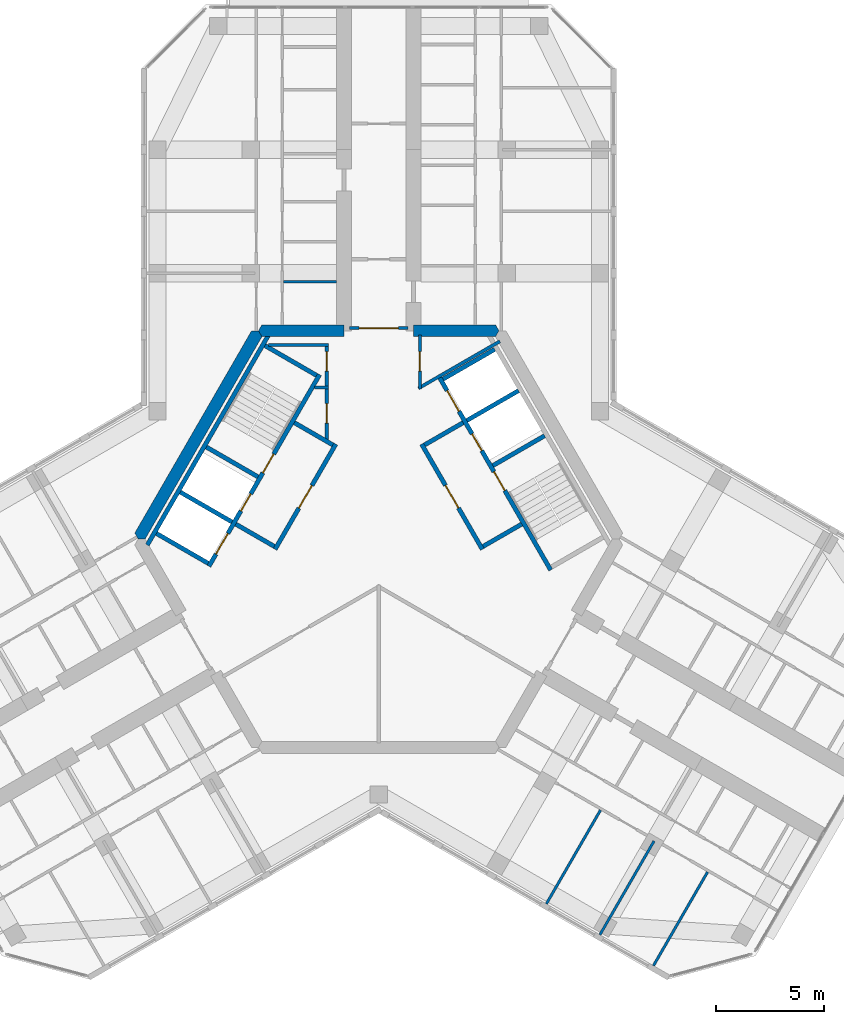
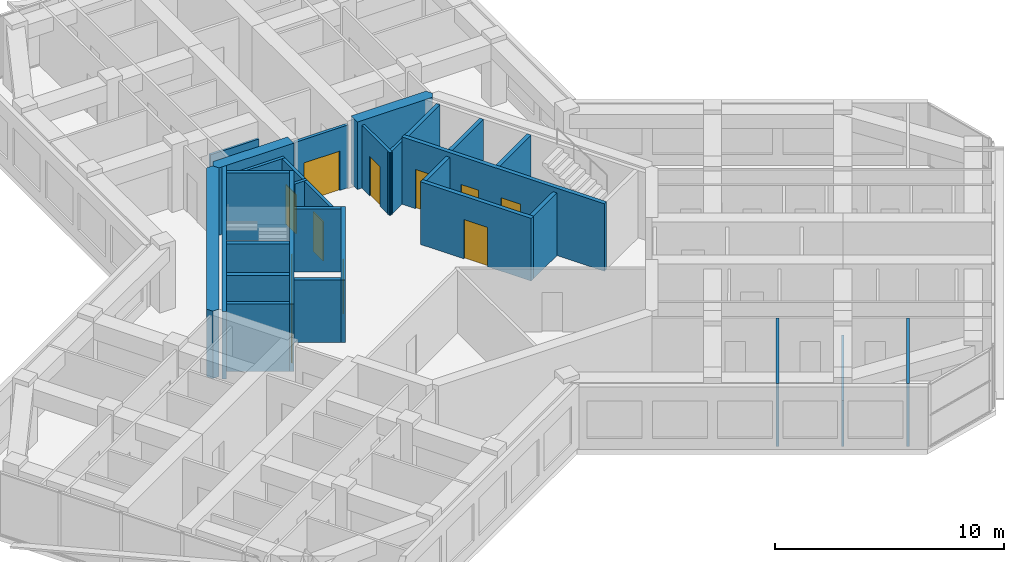
# One storey, part 9 of 14: 29 walls, 12 doors, 12 openings.
"""IFC4 building model written with IfcOpenShell, lengths in metres."""

from ifc_helpers import new_model, si_unit, direction, frame, frame_2d, origin, place, context, subcontext, project, spatial, polyline, rectangle, outline, extrude, material, layer, layer_set, type_object, element, fill, save


model = new_model("IFC4")

# Units and contexts
model_context = context("Model", 3, precision=1e-05, world=origin(), true_north=direction((0.0, 1.0)))
body_context = subcontext(model_context, "Body", "Model", "MODEL_VIEW")
ifc_project = project(units=[si_unit("LENGTHUNIT", "METRE"), si_unit("AREAUNIT", "SQUARE_METRE"), si_unit("VOLUMEUNIT", "CUBIC_METRE"), si_unit("PLANEANGLEUNIT", "RADIAN"), si_unit("MASSUNIT", "GRAM", prefix="KILO")], contexts=[model_context])

# Site, building, storey
site_placement = place(None, origin())
site = spatial("IfcSite", under=ifc_project, at=site_placement, CompositionType="ELEMENT")
building_placement = place(site_placement, origin())
building = spatial("IfcBuilding", under=site, at=building_placement, Name="Kosmar Iwan School Tower", CompositionType="ELEMENT")
storey_placement = place(building_placement, frame((0.0, 0.0, 271.0)))
storey = spatial("IfcBuildingStorey", under=building, at=storey_placement, Name="L68", CompositionType="ELEMENT", Elevation=271.0)

# Wall, openings, doors
ifc_material_1 = material(Name="Gypsum board on steel studs, fire-rated", Category="steel")
ifc_layer_1 = layer(ifc_material_1, 0.14990234375)
ifc_layer_set_1 = layer_set([ifc_layer_1], Name="Core room partition 150")
wall_type_1 = type_object("IfcWallType", Name="Core room partition 150", PredefinedType="PARTITIONING", material=ifc_layer_set_1)
wall_1_placement = place(storey_placement, frame((-2.39990234375, 9.014892578125, 0.0), z_axis=(0.0, 0.0, 1.0), x_axis=(0.0, -1.0, 0.0)))
wall_1 = element("IfcWall", 1, at=wall_1_placement, inside=storey, type_object=wall_type_1, Name="Core room partition L68-CW1", PredefinedType="PARTITIONING", context=body_context, shape_type="SweptSolid", body=[
    extrude(rectangle(XDim=4.484130859375, YDim=0.14990234375, at=frame_2d((2.2421875, 0.0))), origin(), (0.0, 0.0, 1.0), 3.35009765625),
])
opening_1_placement = place(wall_1_placement, frame((0.375, 0.0, 0.0)))
opening_1 = element("IfcOpeningElement", 2, at=opening_1_placement, cuts=wall_1, Name="Opening D14", PredefinedType="OPENING", context=body_context, shape_type="SweptSolid", body=[
    extrude(rectangle(XDim=0.89990234375, YDim=2.10009765625, at=frame_2d((0.449951171875, 1.050048828125))), frame((0.0, 0.0869140625, 0.0), z_axis=(0.0, -1.0, 0.0), x_axis=(1.0, 0.0, 0.0)), (0.0, 0.0, 1.0), 0.173828125),
])
opening_2_placement = place(wall_1_placement, frame((2.77490234375, 0.0, 0.0)))
opening_2 = element("IfcOpeningElement", 3, at=opening_2_placement, cuts=wall_1, Name="Opening D14", PredefinedType="OPENING", context=body_context, shape_type="SweptSolid", body=[
    extrude(rectangle(XDim=0.89990234375, YDim=2.10009765625, at=frame_2d((0.449951171875, 1.050048828125))), frame((0.0, 0.0869140625, 0.0), z_axis=(0.0, -1.0, 0.0), x_axis=(1.0, 0.0, 0.0)), (0.0, 0.0, 1.0), 0.173828125),
])
ifc_material_2 = material(Name="Timber fire door in steel frame", Category="steel")
door_type_1 = type_object("IfcDoorType", Name="Core room door 900x2100", OperationType="SINGLE_SWING_LEFT", PredefinedType="DOOR", material=ifc_material_2)
door_1_placement = place(opening_1_placement, origin())
door_1 = element("IfcDoor", 4, at=door_1_placement, inside=storey, type_object=door_type_1, Name="Electrical riser and switch room door L68 1", OperationType="SINGLE_SWING_LEFT", OverallHeight=2.10009765625, OverallWidth=0.89990234375, PredefinedType="DOOR", context=body_context, shape_type="SweptSolid", body=[
    extrude(rectangle(XDim=0.89990234375, YDim=2.10009765625, at=frame_2d((0.449951171875, 1.050048828125))), frame((0.0, 0.02490234375, 0.0), z_axis=(0.0, -1.0, 0.0), x_axis=(1.0, 0.0, 0.0)), (0.0, 0.0, 1.0), 0.050048828125),
])
fill(opening_1, door_1)
door_2_placement = place(opening_2_placement, origin())
door_2 = element("IfcDoor", 5, at=door_2_placement, inside=storey, type_object=door_type_1, Name="Plumbing and wet riser door L68 2", OperationType="SINGLE_SWING_RIGHT", OverallHeight=2.10009765625, OverallWidth=0.89990234375, PredefinedType="DOOR", context=body_context, shape_type="SweptSolid", body=[
    extrude(rectangle(XDim=0.89990234375, YDim=2.10009765625, at=frame_2d((0.449951171875, 1.050048828125))), frame((0.0, 0.02490234375, 0.0), z_axis=(0.0, -1.0, 0.0), x_axis=(1.0, 0.0, 0.0)), (0.0, 0.0, 1.0), 0.050048828125),
])
fill(opening_2, door_2)

# Walls
wall_2_placement = place(storey_placement, frame((-2.324951171875, 6.985107421875, 0.0), z_axis=(0.0, 0.0, 1.0), x_axis=(-1.0, 0.0, 0.0)))
element("IfcWall", 6, at=wall_2_placement, inside=storey, type_object=wall_type_1, Name="Core room partition L68-CW2", PredefinedType="PARTITIONING", context=body_context, shape_type="SweptSolid", body=[
    extrude(rectangle(XDim=0.623779296875, YDim=0.14990234375, at=frame_2d((0.31201171875, 0.0))), origin(), (0.0, 0.0, 1.0), 3.35009765625),
])
wall_3_placement = place(storey_placement, frame((-5.089599609375, 8.93994140625, 0.0), z_axis=(0.0, 0.0, 1.0), x_axis=(1.0, 0.0, 0.0)))
element("IfcWall", 7, at=wall_3_placement, inside=storey, type_object=wall_type_1, Name="Core room partition L68-CW3", PredefinedType="PARTITIONING", context=body_context, shape_type="SweptSolid", body=[
    extrude(rectangle(XDim=2.7646484375, YDim=0.14990234375, at=frame_2d((1.38232421875, 0.0))), origin(), (0.0, 0.0, 1.0), 3.35009765625),
])
wall_4_placement = place(storey_placement, frame((5.58642578125, 9.1142578125, 0.0), z_axis=(0.0, 0.0, 1.0), x_axis=(-0.866039173598, -0.499976149225, 0.0)))
element("IfcWall", 8, at=wall_4_placement, inside=storey, type_object=wall_type_1, Name="Core room partition L68-CW8", PredefinedType="PARTITIONING", context=body_context, shape_type="SweptSolid", body=[
    extrude(rectangle(XDim=4.331787109375, YDim=0.14990234375, at=frame_2d((2.166015625, 0.0))), origin(), (0.0, 0.0, 1.0), 3.35009765625),
])

# Wall, opening, door
wall_5_placement = place(storey_placement, frame((1.89990234375, 6.910888671875, 0.0), z_axis=(0.0, 0.0, 1.0), x_axis=(0.0, 1.0, 0.0)))
wall_5 = element("IfcWall", 9, at=wall_5_placement, inside=storey, type_object=wall_type_1, Name="Core room partition L68-CW9", PredefinedType="PARTITIONING", context=body_context, shape_type="SweptSolid", body=[
    extrude(rectangle(XDim=2.484130859375, YDim=0.14990234375, at=frame_2d((1.2421875, 0.0))), origin(), (0.0, 0.0, 1.0), 3.35009765625),
])
opening_3_placement = place(wall_5_placement, frame((0.826904296875, 0.0, 0.0)))
opening_3 = element("IfcOpeningElement", 10, at=opening_3_placement, cuts=wall_5, Name="Opening D14", PredefinedType="OPENING", context=body_context, shape_type="SweptSolid", body=[
    extrude(rectangle(XDim=0.89990234375, YDim=2.10009765625, at=frame_2d((0.449951171875, 1.050048828125))), frame((0.0, 0.0869140625, 0.0), z_axis=(0.0, -1.0, 0.0), x_axis=(1.0, 0.0, 0.0)), (0.0, 0.0, 1.0), 0.173828125),
])
door_3_placement = place(opening_3_placement, origin())
door_3 = element("IfcDoor", 11, at=door_3_placement, inside=storey, type_object=door_type_1, Name="Housekeeping store door L68 5", OperationType="SINGLE_SWING_RIGHT", OverallHeight=2.10009765625, OverallWidth=0.89990234375, PredefinedType="DOOR", context=body_context, shape_type="SweptSolid", body=[
    extrude(rectangle(XDim=0.89990234375, YDim=2.10009765625, at=frame_2d((0.449951171875, 1.050048828125))), frame((0.0, 0.02490234375, 0.0), z_axis=(0.0, -1.0, 0.0), x_axis=(1.0, 0.0, 0.0)), (0.0, 0.0, 1.0), 0.050048828125),
])
fill(opening_3, door_3)

# Walls
ifc_material_3 = material(Name="Concrete C50/60", Category="concrete")
ifc_layer_2 = layer(ifc_material_3, 0.550048828125)
ifc_layer_set_2 = layer_set([ifc_layer_2], Name="Core wall 550")
wall_type_2 = type_object("IfcWallType", Name="Core wall 550", PredefinedType="SHEAR", material=ifc_layer_set_2)
wall_6_placement = place(storey_placement, origin())
element("IfcWall", 12, at=wall_6_placement, inside=storey, type_object=wall_type_2, Name="Core wall F090a", PredefinedType="SHEAR", context=body_context, shape_type="SweptSolid", body=[
    extrude(outline(polyline([(1.60009765625, 9.324951171875), (5.3837890625, 9.324951171875), (5.54248046875, 9.60009765625), (5.3837890625, 9.875), (1.60009765625, 9.875), (1.60009765625, 9.324951171875)])), origin(), (0.0, 0.0, 1.0), 3.60009765625),
])
wall_7_placement = place(storey_placement, origin())
element("IfcWall", 13, at=wall_7_placement, inside=storey, type_object=wall_type_2, Name="Core wall F090b", PredefinedType="SHEAR", context=body_context, shape_type="SweptSolid", body=[
    extrude(outline(polyline([(-5.3837890625, 9.324951171875), (-1.60009765625, 9.324951171875), (-1.60009765625, 9.875), (-5.3837890625, 9.875), (-5.54248046875, 9.60009765625), (-5.3837890625, 9.324951171875)])), origin(), (0.0, 0.0, 1.0), 3.60009765625),
])
wall_8_placement = place(storey_placement, origin())
element("IfcWall", 14, at=wall_8_placement, inside=storey, type_object=wall_type_2, Name="Core wall F150", PredefinedType="SHEAR", context=body_context, shape_type="SweptSolid", body=[
    extrude(outline(polyline([(-11.085205078125, 0.0), (-10.767578125, 0.0), (-5.3837890625, 9.324951171875), (-5.54248046875, 9.60009765625), (-5.860107421875, 9.60009765625), (-11.243896484375, 0.27490234375), (-11.085205078125, 0.0)])), origin(), (0.0, 0.0, 1.0), 3.60009765625),
])

# Wall, opening, door
ifc_material_4 = material(Name="Steel framed glazed screen", Category="steel")
ifc_layer_3 = layer(ifc_material_4, 0.14990234375)
ifc_layer_set_3 = layer_set([ifc_layer_3], Name="Corridor screen wall 150")
wall_type_3 = type_object("IfcWallType", Name="Corridor screen wall 150", PredefinedType="PARTITIONING", material=ifc_layer_set_3)
wall_9_placement = place(storey_placement, frame((1.35009765625, 9.72509765625, 0.0), z_axis=(0.0, 0.0, 1.0), x_axis=(-1.0, 0.0, 0.0)))
wall_9 = element("IfcWall", 15, at=wall_9_placement, inside=storey, type_object=wall_type_3, Name="Corridor screen A L68", PredefinedType="PARTITIONING", context=body_context, shape_type="SweptSolid", body=[
    extrude(rectangle(XDim=2.7001953125, YDim=0.14990234375, at=frame_2d((1.35009765625, 0.0))), origin(), (0.0, 0.0, 1.0), 3.35009765625),
])
opening_4_placement = place(wall_9_placement, frame((0.449951171875, 0.0, 0.0)))
opening_4 = element("IfcOpeningElement", 16, at=opening_4_placement, cuts=wall_9, Name="Opening D9", PredefinedType="OPENING", context=body_context, shape_type="SweptSolid", body=[
    extrude(rectangle(XDim=1.800048828125, YDim=2.10009765625, at=frame_2d((0.89990234375, 1.050048828125))), frame((0.0, 0.0869140625, 0.0), z_axis=(0.0, -1.0, 0.0), x_axis=(1.0, 0.0, 0.0)), (0.0, 0.0, 1.0), 0.173828125),
])
ifc_material_5 = material(Name="Steel framed glazed smoke door", Category="steel")
door_type_2 = type_object("IfcDoorType", Name="Corridor smoke door pair 1800x2100", OperationType="DOUBLE_DOOR_DOUBLE_SWING", PredefinedType="DOOR", material=ifc_material_5)
door_4_placement = place(opening_4_placement, origin())
door_4 = element("IfcDoor", 17, at=door_4_placement, inside=storey, type_object=door_type_2, Name="Corridor doors A L68", OperationType="DOUBLE_DOOR_DOUBLE_SWING", OverallHeight=2.10009765625, OverallWidth=1.800048828125, PredefinedType="DOOR", context=body_context, shape_type="SweptSolid", body=[
    extrude(rectangle(XDim=1.800048828125, YDim=2.10009765625, at=frame_2d((0.89990234375, 1.050048828125))), frame((0.0, 0.02490234375, 0.0), z_axis=(0.0, -1.0, 0.0), x_axis=(1.0, 0.0, 0.0)), (0.0, 0.0, 1.0), 0.050048828125),
])
fill(opening_4, door_4)

# Walls
ifc_material_6 = material(Name="Gypsum board on steel studs", Category="steel")
ifc_layer_4 = layer(ifc_material_6, 0.1201171875)
ifc_layer_set_4 = layer_set([ifc_layer_4], Name="Dwelling partition 120")
wall_type_4 = type_object("IfcWallType", Name="Dwelling partition 120", PredefinedType="PARTITIONING", material=ifc_layer_set_4)
wall_10_placement = place(storey_placement, frame((-1.949951171875, 11.85009765625, 0.0), z_axis=(0.0, 0.0, 1.0), x_axis=(-1.0, 0.0, 0.0)))
element("IfcWall", 18, at=wall_10_placement, inside=storey, type_object=wall_type_4, Name="Partition L68-AL1-Y1", PredefinedType="PARTITIONING", context=body_context, shape_type="SweptSolid", body=[
    extrude(rectangle(XDim=2.43994140625, YDim=0.1201171875, at=frame_2d((1.219970703125, 0.0))), origin(), (0.0, 0.0, 1.0), 2.449951171875),
])
wall_11_placement = place(storey_placement, frame((10.221923828125, -12.4951171875, 0.0), z_axis=(0.0, 0.0, 1.0), x_axis=(-0.499996339024, -0.86602751744, 0.0)))
element("IfcWall", 19, at=wall_11_placement, inside=storey, type_object=wall_type_4, Name="Partition L68-CR1-X1", PredefinedType="PARTITIONING", context=body_context, shape_type="SweptSolid", body=[
    extrude(rectangle(XDim=4.98974609375, YDim=0.1201171875, at=frame_2d((2.494873046875, 0.0))), origin(), (0.0, 0.0, 1.0), 3.35009765625),
])
wall_12_placement = place(storey_placement, frame((12.690185546875, -13.919921875, 0.0), z_axis=(0.0, 0.0, 1.0), x_axis=(-0.500011847778, -0.866018563358, 0.0)))
element("IfcWall", 20, at=wall_12_placement, inside=storey, type_object=wall_type_4, Name="Partition L68-CR1-X2", PredefinedType="PARTITIONING", context=body_context, shape_type="SweptSolid", body=[
    extrude(rectangle(XDim=4.990234375, YDim=0.1201171875, at=frame_2d((2.4951171875, 0.0))), origin(), (0.0, 0.0, 1.0), 2.449951171875),
])
wall_13_placement = place(storey_placement, frame((15.158447265625, -15.344970703125, 0.0), z_axis=(0.0, 0.0, 1.0), x_axis=(-0.500011847778, -0.866018563358, 0.0)))
element("IfcWall", 21, at=wall_13_placement, inside=storey, type_object=wall_type_4, Name="Partition L68-CR1-X3", PredefinedType="PARTITIONING", context=body_context, shape_type="SweptSolid", body=[
    extrude(rectangle(XDim=4.990234375, YDim=0.1201171875, at=frame_2d((2.4951171875, 0.0))), origin(), (0.0, 0.0, 1.0), 3.35009765625),
])

# Wall, opening, door
ifc_material_7 = material(Name="Concrete block masonry", Category="masonry")
ifc_layer_5 = layer(ifc_material_7, 0.199951171875)
ifc_layer_set_5 = layer_set([ifc_layer_5], Name="Fire lobby wall 200")
wall_type_5 = type_object("IfcWallType", Name="Fire lobby wall 200", PredefinedType="PARTITIONING", material=ifc_layer_set_5)
wall_14_placement = place(storey_placement, frame((-1.9775390625, 4.374755859375, 0.0), z_axis=(0.0, 0.0, 1.0), x_axis=(-0.500016814911, -0.866015695474, 0.0)))
wall_14 = element("IfcWall", 22, at=wall_14_placement, inside=storey, type_object=wall_type_5, Name="Firefighting lobby wall ST2", PredefinedType="PARTITIONING", context=body_context, shape_type="SweptSolid", body=[
    extrude(rectangle(XDim=5.599853515625, YDim=0.199951171875, at=frame_2d((2.7998046875, 0.0))), origin(), (0.0, 0.0, 1.0), 3.35009765625),
])
opening_5_placement = place(wall_14_placement, frame((2.199951171875, 0.0, 0.0)))
opening_5 = element("IfcOpeningElement", 23, at=opening_5_placement, cuts=wall_14, Name="Opening D7", PredefinedType="OPENING", context=body_context, shape_type="SweptSolid", body=[
    extrude(rectangle(XDim=1.199951171875, YDim=2.10009765625, at=frame_2d((0.60009765625, 1.050048828125))), frame((0.0, 0.112060546875, 0.0), z_axis=(0.0, -1.0, 0.0), x_axis=(1.0, 0.0, 0.0)), (0.0, 0.0, 1.0), 0.223876953125),
])
ifc_material_8 = material(Name="Steel fire door", Category="steel")
door_type_3 = type_object("IfcDoorType", Name="Fire lobby door 1200x2100", OperationType="SINGLE_SWING_LEFT", PredefinedType="DOOR", material=ifc_material_8)
door_5_placement = place(opening_5_placement, origin())
door_5 = element("IfcDoor", 24, at=door_5_placement, inside=storey, type_object=door_type_3, Name="Firefighting lobby door ST2 L68", OperationType="SINGLE_SWING_LEFT", OverallHeight=2.10009765625, OverallWidth=1.199951171875, PredefinedType="DOOR", context=body_context, shape_type="SweptSolid", body=[
    extrude(rectangle(XDim=1.199951171875, YDim=2.10009765625, at=frame_2d((0.60009765625, 1.050048828125))), frame((0.0, 0.02490234375, 0.0), z_axis=(0.0, -1.0, 0.0), x_axis=(1.0, 0.0, 0.0)), (0.0, 0.0, 1.0), 0.050048828125),
])
fill(opening_5, door_5)

# Walls
wall_15_placement = place(storey_placement, frame((-2.114013671875, 4.33837890625, 0.0), z_axis=(0.0, 0.0, 1.0), x_axis=(-0.866050731258, 0.499956128963, 0.0)))
element("IfcWall", 25, at=wall_15_placement, inside=storey, type_object=wall_type_5, Name="Firefighting lobby wall ST2", PredefinedType="PARTITIONING", context=body_context, shape_type="SweptSolid", body=[
    extrude(rectangle(XDim=2.050048828125, YDim=0.199951171875, at=frame_2d((1.02490234375, 0.0))), origin(), (0.0, 0.0, 1.0), 3.35009765625),
])
wall_16_placement = place(storey_placement, frame((-4.814208984375, -0.33837890625, 0.0), z_axis=(0.0, 0.0, 1.0), x_axis=(-0.865969381856, 0.500097020274, 0.0)))
element("IfcWall", 26, at=wall_16_placement, inside=storey, type_object=wall_type_5, Name="Firefighting lobby wall ST2", PredefinedType="PARTITIONING", context=body_context, shape_type="SweptSolid", body=[
    extrude(rectangle(XDim=2.0498046875, YDim=0.199951171875, at=frame_2d((1.02490234375, 0.0))), origin(), (0.0, 0.0, 1.0), 3.35009765625),
])

# Wall, opening, door
wall_17_placement = place(storey_placement, frame((4.777587890625, -0.474853515625, 0.0), z_axis=(0.0, 0.0, 1.0), x_axis=(-0.500016814911, 0.866015695474, 0.0)))
wall_17 = element("IfcWall", 27, at=wall_17_placement, inside=storey, type_object=wall_type_5, Name="Firefighting lobby wall ST1", PredefinedType="PARTITIONING", context=body_context, shape_type="SweptSolid", body=[
    extrude(rectangle(XDim=5.599853515625, YDim=0.199951171875, at=frame_2d((2.7998046875, 0.0))), origin(), (0.0, 0.0, 1.0), 3.35009765625),
])
opening_6_placement = place(wall_17_placement, frame((2.199951171875, 0.0, 0.0)))
opening_6 = element("IfcOpeningElement", 28, at=opening_6_placement, cuts=wall_17, Name="Opening D7", PredefinedType="OPENING", context=body_context, shape_type="SweptSolid", body=[
    extrude(rectangle(XDim=1.199951171875, YDim=2.10009765625, at=frame_2d((0.60009765625, 1.050048828125))), frame((0.0, 0.112060546875, 0.0), z_axis=(0.0, -1.0, 0.0), x_axis=(1.0, 0.0, 0.0)), (0.0, 0.0, 1.0), 0.223876953125),
])
door_6_placement = place(opening_6_placement, origin())
door_6 = element("IfcDoor", 29, at=door_6_placement, inside=storey, type_object=door_type_3, Name="Firefighting lobby door ST1 L68", OperationType="SINGLE_SWING_LEFT", OverallHeight=2.10009765625, OverallWidth=1.199951171875, PredefinedType="DOOR", context=body_context, shape_type="SweptSolid", body=[
    extrude(rectangle(XDim=1.199951171875, YDim=2.10009765625, at=frame_2d((0.60009765625, 1.050048828125))), frame((0.0, 0.02490234375, 0.0), z_axis=(0.0, -1.0, 0.0), x_axis=(1.0, 0.0, 0.0)), (0.0, 0.0, 1.0), 0.050048828125),
])
fill(opening_6, door_6)

# Walls
wall_18_placement = place(storey_placement, frame((4.814208984375, -0.33837890625, 0.0), z_axis=(0.0, 0.0, 1.0), x_axis=(0.865969381856, 0.500097020274, 0.0)))
element("IfcWall", 30, at=wall_18_placement, inside=storey, type_object=wall_type_5, Name="Firefighting lobby wall ST1", PredefinedType="PARTITIONING", context=body_context, shape_type="SweptSolid", body=[
    extrude(rectangle(XDim=2.0498046875, YDim=0.199951171875, at=frame_2d((1.02490234375, 0.0))), origin(), (0.0, 0.0, 1.0), 3.35009765625),
])
wall_19_placement = place(storey_placement, frame((2.114013671875, 4.33837890625, 0.0), z_axis=(0.0, 0.0, 1.0), x_axis=(0.866050731258, 0.499956128963, 0.0)))
element("IfcWall", 31, at=wall_19_placement, inside=storey, type_object=wall_type_5, Name="Firefighting lobby wall ST1", PredefinedType="PARTITIONING", context=body_context, shape_type="SweptSolid", body=[
    extrude(rectangle(XDim=2.050048828125, YDim=0.199951171875, at=frame_2d((1.02490234375, 0.0))), origin(), (0.0, 0.0, 1.0), 3.35009765625),
])

# Wall, openings, doors
ifc_material_9 = material(Name="Concrete C50/60", Category="concrete")
ifc_layer_6 = layer(ifc_material_9, 0.199951171875)
ifc_layer_set_6 = layer_set([ifc_layer_6], Name="Lift shaft wall 200")
wall_type_6 = type_object("IfcWallType", Name="Lift shaft wall 200", PredefinedType="SHEAR", material=ifc_layer_set_6)
wall_20_placement = place(storey_placement, frame((-2.72607421875, 7.578369140625, 0.0), z_axis=(0.0, 0.0, 1.0), x_axis=(-0.500005610874, -0.86602216432, 0.0)))
wall_20 = element("IfcWall", 32, at=wall_20_placement, inside=storey, type_object=wall_type_6, Name="Lift and stair front wall AB", PredefinedType="SHEAR", context=body_context, shape_type="SweptSolid", body=[
    extrude(rectangle(XDim=10.2001953125, YDim=0.199951171875, at=frame_2d((5.10009765625, 0.0))), origin(), (0.0, 0.0, 1.0), 3.60009765625),
])
opening_7_placement = place(wall_20_placement, frame((6.35009765625, 0.0, 0.0)))
opening_7 = element("IfcOpeningElement", 33, at=opening_7_placement, cuts=wall_20, Name="Opening LD2", PredefinedType="OPENING", context=body_context, shape_type="SweptSolid", body=[
    extrude(rectangle(XDim=0.89990234375, YDim=2.10009765625, at=frame_2d((0.449951171875, 1.050048828125))), frame((0.0, 0.112060546875, 0.0), z_axis=(0.0, -1.0, 0.0), x_axis=(1.0, 0.0, 0.0)), (0.0, 0.0, 1.0), 0.223876953125),
])
opening_8_placement = place(wall_20_placement, frame((8.449951171875, 0.0, 0.0)))
opening_8 = element("IfcOpeningElement", 34, at=opening_8_placement, cuts=wall_20, Name="Opening LD1", PredefinedType="OPENING", context=body_context, shape_type="SweptSolid", body=[
    extrude(rectangle(XDim=1.10009765625, YDim=2.10009765625, at=frame_2d((0.550048828125, 1.050048828125))), frame((0.0, 0.112060546875, 0.0), z_axis=(0.0, -1.0, 0.0), x_axis=(1.0, 0.0, 0.0)), (0.0, 0.0, 1.0), 0.223876953125),
])
opening_9_placement = place(wall_20_placement, frame((4.22998046875, 0.0, 0.0)))
opening_9 = element("IfcOpeningElement", 35, at=opening_9_placement, cuts=wall_20, Name="Opening D6", PredefinedType="OPENING", context=body_context, shape_type="SweptSolid", body=[
    extrude(rectangle(XDim=1.0, YDim=2.10009765625, at=frame_2d((0.5, 1.050048828125))), frame((0.0, 0.112060546875, 0.0), z_axis=(0.0, -1.0, 0.0), x_axis=(1.0, 0.0, 0.0)), (0.0, 0.0, 1.0), 0.223876953125),
])
ifc_material_10 = material(Name="Stainless steel sliding lift door", Category="steel")
door_type_4 = type_object("IfcDoorType", Name="Firefighting lift landing door 900x2100", OperationType="SLIDING_TO_LEFT", PredefinedType="DOOR", material=ifc_material_10)
door_7_placement = place(opening_7_placement, origin())
door_7 = element("IfcDoor", 36, at=door_7_placement, inside=storey, type_object=door_type_4, Name="Lift FF2 landing door L68", OperationType="SLIDING_TO_LEFT", OverallHeight=2.10009765625, OverallWidth=0.89990234375, PredefinedType="DOOR", context=body_context, shape_type="SweptSolid", body=[
    extrude(rectangle(XDim=0.89990234375, YDim=2.10009765625, at=frame_2d((0.449951171875, 1.050048828125))), frame((0.0, 0.02490234375, 0.0), z_axis=(0.0, -1.0, 0.0), x_axis=(1.0, 0.0, 0.0)), (0.0, 0.0, 1.0), 0.050048828125),
])
fill(opening_7, door_7)
ifc_material_11 = material(Name="Stainless steel sliding lift door", Category="steel")
door_type_5 = type_object("IfcDoorType", Name="Lift landing door 1100x2100", OperationType="SLIDING_TO_LEFT", PredefinedType="DOOR", material=ifc_material_11)
door_8_placement = place(opening_8_placement, origin())
door_8 = element("IfcDoor", 37, at=door_8_placement, inside=storey, type_object=door_type_5, Name="Lift PL6 landing door L68", OperationType="SLIDING_TO_LEFT", OverallHeight=2.10009765625, OverallWidth=1.10009765625, PredefinedType="DOOR", context=body_context, shape_type="SweptSolid", body=[
    extrude(rectangle(XDim=1.10009765625, YDim=2.10009765625, at=frame_2d((0.550048828125, 1.050048828125))), frame((0.0, 0.02490234375, 0.0), z_axis=(0.0, -1.0, 0.0), x_axis=(1.0, 0.0, 0.0)), (0.0, 0.0, 1.0), 0.050048828125),
])
fill(opening_8, door_8)
ifc_material_12 = material(Name="Steel fire door", Category="steel")
door_type_6 = type_object("IfcDoorType", Name="Stair door 1000x2100", OperationType="SINGLE_SWING_LEFT", PredefinedType="DOOR", material=ifc_material_12)
door_9_placement = place(opening_9_placement, origin())
door_9 = element("IfcDoor", 38, at=door_9_placement, inside=storey, type_object=door_type_6, Name="Stair ST2 door L68", OperationType="SINGLE_SWING_LEFT", OverallHeight=2.10009765625, OverallWidth=1.0, PredefinedType="DOOR", context=body_context, shape_type="SweptSolid", body=[
    extrude(rectangle(XDim=1.0, YDim=2.10009765625, at=frame_2d((0.5, 1.050048828125))), frame((0.0, 0.02490234375, 0.0), z_axis=(0.0, -1.0, 0.0), x_axis=(1.0, 0.0, 0.0)), (0.0, 0.0, 1.0), 0.050048828125),
])
fill(opening_9, door_9)

# Walls
wall_21_placement = place(storey_placement, frame((-5.09521484375, 9.375, 0.0), z_axis=(0.0, 0.0, 1.0), x_axis=(-0.499994302092, -0.866028693448, 0.0)))
element("IfcWall", 39, at=wall_21_placement, inside=storey, type_object=wall_type_6, Name="Lift and stair back wall AB", PredefinedType="SHEAR", context=body_context, shape_type="SweptSolid", body=[
    extrude(rectangle(XDim=11.142822265625, YDim=0.199951171875, at=frame_2d((5.5712890625, 0.0))), origin(), (0.0, 0.0, 1.0), 3.60009765625),
])
for number, where, z_axis, x_axis, name in (
    (40, (-6.7626953125, 0.78662109375, 0.0), (0.0, 0.0, 1.0), (-0.866027397988, 0.499996545922, 0.0), "Lift shaft wall AB 1"),
    (41, (-7.862548828125, -1.118408203125, 0.0), (0.0, 0.0, 1.0), (-0.866027397988, 0.499996545922, 0.0), "Lift shaft wall AB 2"),
):
    element("IfcWall", number, at=place(storey_placement, frame(where, z_axis=z_axis, x_axis=x_axis)), inside=storey, type_object=wall_type_6, Name=name, PredefinedType="SHEAR", context=body_context, shape_type="SweptSolid", body=[
        extrude(rectangle(XDim=2.75, YDim=0.199951171875, at=frame_2d((1.375, 0.0))), origin(), (0.0, 0.0, 1.0), 3.60009765625),
    ])

# Wall, openings, doors
wall_22_placement = place(storey_placement, frame((7.926025390625, -1.42822265625, 0.0), z_axis=(0.0, 0.0, 1.0), x_axis=(-0.50000905659, 0.866020174897, 0.0)))
wall_22 = element("IfcWall", 42, at=wall_22_placement, inside=storey, type_object=wall_type_6, Name="Lift and stair front wall AC", PredefinedType="SHEAR", context=body_context, shape_type="SweptSolid", body=[
    extrude(rectangle(XDim=10.224853515625, YDim=0.199951171875, at=frame_2d((5.1123046875, 0.0))), origin(), (0.0, 0.0, 1.0), 3.60009765625),
])
opening_10_placement = place(wall_22_placement, frame((6.35009765625, 0.0, 0.0)))
opening_10 = element("IfcOpeningElement", 43, at=opening_10_placement, cuts=wall_22, Name="Opening LD2", PredefinedType="OPENING", context=body_context, shape_type="SweptSolid", body=[
    extrude(rectangle(XDim=0.89990234375, YDim=2.10009765625, at=frame_2d((0.449951171875, 1.050048828125))), frame((0.0, 0.112060546875, 0.0), z_axis=(0.0, -1.0, 0.0), x_axis=(1.0, 0.0, 0.0)), (0.0, 0.0, 1.0), 0.223876953125),
])
opening_11_placement = place(wall_22_placement, frame((8.449951171875, 0.0, 0.0)))
opening_11 = element("IfcOpeningElement", 44, at=opening_11_placement, cuts=wall_22, Name="Opening LD1", PredefinedType="OPENING", context=body_context, shape_type="SweptSolid", body=[
    extrude(rectangle(XDim=1.10009765625, YDim=2.10009765625, at=frame_2d((0.550048828125, 1.050048828125))), frame((0.0, 0.112060546875, 0.0), z_axis=(0.0, -1.0, 0.0), x_axis=(1.0, 0.0, 0.0)), (0.0, 0.0, 1.0), 0.223876953125),
])
opening_12_placement = place(wall_22_placement, frame((4.22998046875, 0.0, 0.0)))
opening_12 = element("IfcOpeningElement", 45, at=opening_12_placement, cuts=wall_22, Name="Opening D6", PredefinedType="OPENING", context=body_context, shape_type="SweptSolid", body=[
    extrude(rectangle(XDim=1.0, YDim=2.10009765625, at=frame_2d((0.5, 1.050048828125))), frame((0.0, 0.112060546875, 0.0), z_axis=(0.0, -1.0, 0.0), x_axis=(1.0, 0.0, 0.0)), (0.0, 0.0, 1.0), 0.223876953125),
])
door_10_placement = place(opening_10_placement, origin())
door_10 = element("IfcDoor", 46, at=door_10_placement, inside=storey, type_object=door_type_4, Name="Lift FF1 landing door L68", OperationType="SLIDING_TO_LEFT", OverallHeight=2.10009765625, OverallWidth=0.89990234375, PredefinedType="DOOR", context=body_context, shape_type="SweptSolid", body=[
    extrude(rectangle(XDim=0.89990234375, YDim=2.10009765625, at=frame_2d((0.449951171875, 1.050048828125))), frame((0.0, 0.02490234375, 0.0), z_axis=(0.0, -1.0, 0.0), x_axis=(1.0, 0.0, 0.0)), (0.0, 0.0, 1.0), 0.050048828125),
])
fill(opening_10, door_10)
door_11_placement = place(opening_11_placement, origin())
door_11 = element("IfcDoor", 47, at=door_11_placement, inside=storey, type_object=door_type_5, Name="Lift PL5 landing door L68", OperationType="SLIDING_TO_LEFT", OverallHeight=2.10009765625, OverallWidth=1.10009765625, PredefinedType="DOOR", context=body_context, shape_type="SweptSolid", body=[
    extrude(rectangle(XDim=1.10009765625, YDim=2.10009765625, at=frame_2d((0.550048828125, 1.050048828125))), frame((0.0, 0.02490234375, 0.0), z_axis=(0.0, -1.0, 0.0), x_axis=(1.0, 0.0, 0.0)), (0.0, 0.0, 1.0), 0.050048828125),
])
fill(opening_11, door_11)
door_12_placement = place(opening_12_placement, origin())
door_12 = element("IfcDoor", 48, at=door_12_placement, inside=storey, type_object=door_type_6, Name="Stair ST1 door L68", OperationType="SINGLE_SWING_LEFT", OverallHeight=2.10009765625, OverallWidth=1.0, PredefinedType="DOOR", context=body_context, shape_type="SweptSolid", body=[
    extrude(rectangle(XDim=1.0, YDim=2.10009765625, at=frame_2d((0.5, 1.050048828125))), frame((0.0, 0.02490234375, 0.0), z_axis=(0.0, -1.0, 0.0), x_axis=(1.0, 0.0, 0.0)), (0.0, 0.0, 1.0), 0.050048828125),
])
fill(opening_12, door_12)

# Walls
for number, where, z_axis, x_axis, name in (
    (49, (4.062744140625, 5.46337890625, 0.0), (0.0, 0.0, 1.0), (0.866027397988, 0.499996545922, 0.0), "Lift shaft wall AC 1"),
    (50, (2.962646484375, 7.368408203125, 0.0), (0.0, 0.0, 1.0), (0.866027397988, 0.499996545922, 0.0), "Lift shaft wall AC 2"),
):
    element("IfcWall", number, at=place(storey_placement, frame(where, z_axis=z_axis, x_axis=x_axis)), inside=storey, type_object=wall_type_6, Name=name, PredefinedType="SHEAR", context=body_context, shape_type="SweptSolid", body=[
        extrude(rectangle(XDim=2.75, YDim=0.199951171875, at=frame_2d((1.375, 0.0))), origin(), (0.0, 0.0, 1.0), 3.60009765625),
    ])
ifc_material_13 = material(Name="Concrete C50/60", Category="concrete")
ifc_layer_7 = layer(ifc_material_13, 0.199951171875)
ifc_layer_set_7 = layer_set([ifc_layer_7], Name="Stair enclosure wall 200")
wall_type_7 = type_object("IfcWallType", Name="Stair enclosure wall 200", PredefinedType="SHEAR", material=ifc_layer_set_7)
for number, where, z_axis, x_axis, name in (
    (51, (-2.862548828125, 7.541748046875, 0.0), (0.0, 0.0, 1.0), (-0.866027397988, 0.499996545922, 0.0), "Stair ST2 wall"),
    (52, (-5.562744140625, 2.865234375, 0.0), (0.0, 0.0, 1.0), (-0.866027397988, 0.499996545922, 0.0), "Stair ST2 wall"),
    (53, (5.2626953125, 3.384765625, 0.0), (0.0, 0.0, 1.0), (0.866027397988, 0.499996545922, 0.0), "Stair ST1 wall"),
):
    element("IfcWall", number, at=place(storey_placement, frame(where, z_axis=z_axis, x_axis=x_axis)), inside=storey, type_object=wall_type_7, Name=name, PredefinedType="SHEAR", context=body_context, shape_type="SweptSolid", body=[
        extrude(rectangle(XDim=2.75, YDim=0.199951171875, at=frame_2d((1.375, 0.0))), origin(), (0.0, 0.0, 1.0), 3.60009765625),
    ])

save(model, "model.ifc")
